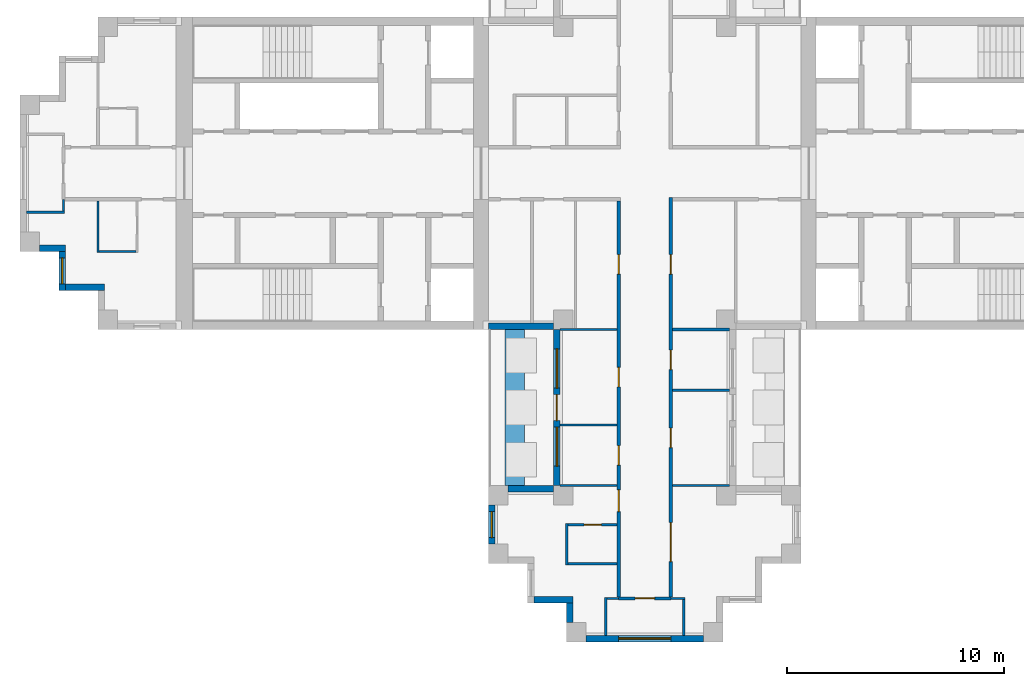
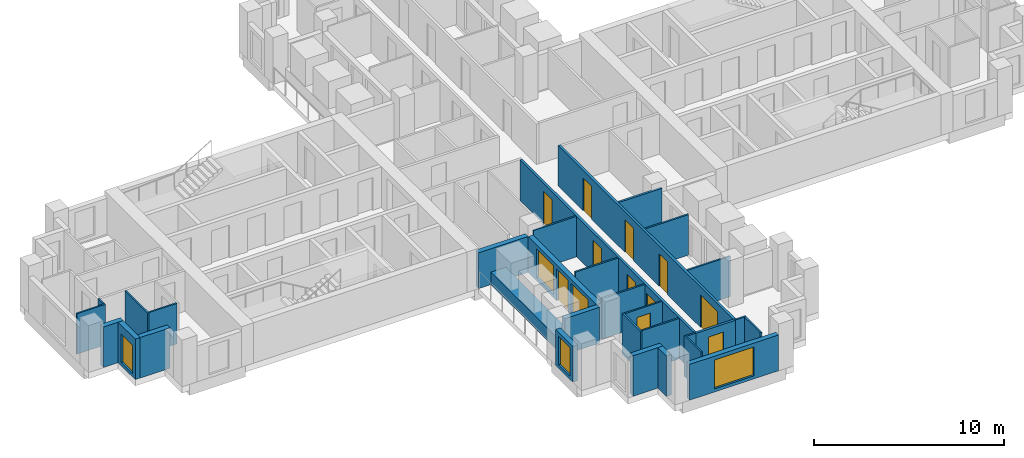
# One storey, part 2 of 10: 31 walls, 11 doors, 5 windows, 16 openings.
"""IFC4 building model written with IfcOpenShell, lengths in metres."""

from ifc_helpers import new_model, si_unit, direction, frame, frame_2d, origin, place, context, subcontext, project, spatial, rectangle, extrude, material, layer, layer_set, type_object, element, fill, save


model = new_model("IFC4")

# Units and contexts
model_context = context("Model", 3, precision=1e-05, world=origin(), true_north=direction((0.0, 1.0)))
body_context = subcontext(model_context, "Body", "Model", "MODEL_VIEW")
ifc_project = project(units=[si_unit("LENGTHUNIT", "METRE"), si_unit("AREAUNIT", "SQUARE_METRE"), si_unit("VOLUMEUNIT", "CUBIC_METRE"), si_unit("PLANEANGLEUNIT", "RADIAN"), si_unit("MASSUNIT", "GRAM", prefix="KILO")], contexts=[model_context])

# Site, building, storey
site_placement = place(None, origin())
site = spatial("IfcSite", under=ifc_project, at=site_placement, CompositionType="ELEMENT")
building_placement = place(site_placement, origin())
building = spatial("IfcBuilding", under=site, at=building_placement, Name="Fustian Cross Tower", CompositionType="ELEMENT")
storey_placement = place(building_placement, frame((0.0, 0.0, 231.89990234375)))
storey = spatial("IfcBuildingStorey", under=building, at=storey_placement, Name="L73", CompositionType="ELEMENT", Elevation=231.89990234375)

# Wall, openings, doors
ifc_material_1 = material(Name="Plasterboard on steel stud", Category="steel")
ifc_layer_1 = layer(ifc_material_1, 0.14990234375)
ifc_layer_set_1 = layer_set([ifc_layer_1], Name="Plasterboard on steel stud")
wall_type_1 = type_object("IfcWallType", Name="COMPARTMENT WALL 150 EI 60", PredefinedType="PARTITIONING", material=ifc_layer_set_1)
wall_1_placement = place(storey_placement, frame((-1.199951171875, -19.52490234375, 0.0), z_axis=(0.0, 0.0, 1.0), x_axis=(0.0, 1.0, 0.0)))
wall_1 = element("IfcWall", 1, at=wall_1_placement, inside=storey, type_object=wall_type_1, Name="Partition 38", PredefinedType="PARTITIONING", context=body_context, shape_type="SweptSolid", body=[
    extrude(rectangle(XDim=18.25, YDim=0.14990234375, at=frame_2d((9.125, 0.0))), origin(), (0.0, 0.0, 1.0), 2.60009765625),
])
opening_1_placement = place(wall_1_placement, frame((14.875, 0.0, 0.0)))
opening_1 = element("IfcOpeningElement", 2, at=opening_1_placement, cuts=wall_1, Name="Opening D33008", PredefinedType="OPENING", context=body_context, shape_type="SweptSolid", body=[
    extrude(rectangle(XDim=0.89990234375, YDim=2.10009765625, at=frame_2d((0.449951171875, 1.050048828125))), frame((0.0, 0.0849609375, 0.0), z_axis=(0.0, -1.0, 0.0), x_axis=(1.0, 0.0, 0.0)), (0.0, 0.0, 1.0), 0.169921875),
])
opening_2_placement = place(wall_1_placement, frame((6.074951171875, 0.0, 0.0)))
opening_2 = element("IfcOpeningElement", 3, at=opening_2_placement, cuts=wall_1, Name="Opening D33036", PredefinedType="OPENING", context=body_context, shape_type="SweptSolid", body=[
    extrude(rectangle(XDim=0.89990234375, YDim=2.10009765625, at=frame_2d((0.449951171875, 1.050048828125))), frame((0.0, 0.0849609375, 0.0), z_axis=(0.0, -1.0, 0.0), x_axis=(1.0, 0.0, 0.0)), (0.0, 0.0, 1.0), 0.169921875),
])
opening_3_placement = place(wall_1_placement, frame((9.675048828125, 0.0, 0.0)))
opening_3 = element("IfcOpeningElement", 4, at=opening_3_placement, cuts=wall_1, Name="Opening D33037", PredefinedType="OPENING", context=body_context, shape_type="SweptSolid", body=[
    extrude(rectangle(XDim=0.89990234375, YDim=2.10009765625, at=frame_2d((0.449951171875, 1.050048828125))), frame((0.0, 0.0849609375, 0.0), z_axis=(0.0, -1.0, 0.0), x_axis=(1.0, 0.0, 0.0)), (0.0, 0.0, 1.0), 0.169921875),
])
opening_4_placement = place(wall_1_placement, frame((3.925048828125, 0.0, 0.0)))
opening_4 = element("IfcOpeningElement", 5, at=opening_4_placement, cuts=wall_1, Name="Opening D33039", PredefinedType="OPENING", context=body_context, shape_type="SweptSolid", body=[
    extrude(rectangle(XDim=1.0, YDim=2.10009765625, at=frame_2d((0.5, 1.050048828125))), frame((0.0, 0.0849609375, 0.0), z_axis=(0.0, -1.0, 0.0), x_axis=(1.0, 0.0, 0.0)), (0.0, 0.0, 1.0), 0.169921875),
])
ifc_material_2 = material(Name="Timber fire door set", Category="wood")
door_type_1 = type_object("IfcDoorType", Name="FIRE SWING DOOR 1000 FD30S", OperationType="SINGLE_SWING_LEFT", PredefinedType="DOOR", material=ifc_material_2)
door_1_placement = place(opening_4_placement, origin())
door_1 = element("IfcDoor", 6, at=door_1_placement, inside=storey, type_object=door_type_1, Name="Door D33039", OperationType="SINGLE_SWING_RIGHT", OverallHeight=2.10009765625, OverallWidth=1.0, PredefinedType="DOOR", context=body_context, shape_type="SweptSolid", body=[
    extrude(rectangle(XDim=1.0, YDim=2.10009765625, at=frame_2d((0.5, 1.050048828125))), frame((0.0, 0.02490234375, 0.0), z_axis=(0.0, -1.0, 0.0), x_axis=(1.0, 0.0, 0.0)), (0.0, 0.0, 1.0), 0.050048828125),
])
fill(opening_4, door_1)
ifc_material_3 = material(Name="Timber fire door set", Category="wood")
door_type_2 = type_object("IfcDoorType", Name="FIRE SWING DOOR 900 FD30S", OperationType="SINGLE_SWING_LEFT", PredefinedType="DOOR", material=ifc_material_3)
door_2_placement = place(opening_1_placement, origin())
door_2 = element("IfcDoor", 7, at=door_2_placement, inside=storey, type_object=door_type_2, Name="Door D33008", OperationType="SINGLE_SWING_LEFT", OverallHeight=2.10009765625, OverallWidth=0.89990234375, PredefinedType="DOOR", context=body_context, shape_type="SweptSolid", body=[
    extrude(rectangle(XDim=0.89990234375, YDim=2.10009765625, at=frame_2d((0.449951171875, 1.050048828125))), frame((0.0, 0.02490234375, 0.0), z_axis=(0.0, -1.0, 0.0), x_axis=(1.0, 0.0, 0.0)), (0.0, 0.0, 1.0), 0.050048828125),
])
fill(opening_1, door_2)
door_3_placement = place(opening_2_placement, origin())
door_3 = element("IfcDoor", 8, at=door_3_placement, inside=storey, type_object=door_type_2, Name="Door D33036", OperationType="SINGLE_SWING_LEFT", OverallHeight=2.10009765625, OverallWidth=0.89990234375, PredefinedType="DOOR", context=body_context, shape_type="SweptSolid", body=[
    extrude(rectangle(XDim=0.89990234375, YDim=2.10009765625, at=frame_2d((0.449951171875, 1.050048828125))), frame((0.0, 0.02490234375, 0.0), z_axis=(0.0, -1.0, 0.0), x_axis=(1.0, 0.0, 0.0)), (0.0, 0.0, 1.0), 0.050048828125),
])
fill(opening_2, door_3)
door_4_placement = place(opening_3_placement, origin())
door_4 = element("IfcDoor", 9, at=door_4_placement, inside=storey, type_object=door_type_2, Name="Door D33037", OperationType="SINGLE_SWING_LEFT", OverallHeight=2.10009765625, OverallWidth=0.89990234375, PredefinedType="DOOR", context=body_context, shape_type="SweptSolid", body=[
    extrude(rectangle(XDim=0.89990234375, YDim=2.10009765625, at=frame_2d((0.449951171875, 1.050048828125))), frame((0.0, 0.02490234375, 0.0), z_axis=(0.0, -1.0, 0.0), x_axis=(1.0, 0.0, 0.0)), (0.0, 0.0, 1.0), 0.050048828125),
])
fill(opening_3, door_4)

# Wall, opening, door
wall_2_placement = place(storey_placement, frame((-1.199951171875, -19.60009765625, 0.0), z_axis=(0.0, 0.0, 1.0), x_axis=(1.0, 0.0, 0.0)))
wall_2 = element("IfcWall", 10, at=wall_2_placement, inside=storey, type_object=wall_type_1, Name="Partition 39", PredefinedType="PARTITIONING", context=body_context, shape_type="SweptSolid", body=[
    extrude(rectangle(XDim=2.39990234375, YDim=0.14990234375, at=frame_2d((1.199951171875, 0.0))), origin(), (0.0, 0.0, 1.0), 2.60009765625),
])
opening_5_placement = place(wall_2_placement, frame((0.75, 0.0, 0.0)))
opening_5 = element("IfcOpeningElement", 11, at=opening_5_placement, cuts=wall_2, Name="Opening D33032", PredefinedType="OPENING", context=body_context, shape_type="SweptSolid", body=[
    extrude(rectangle(XDim=0.89990234375, YDim=2.10009765625, at=frame_2d((0.449951171875, 1.050048828125))), frame((0.0, 0.0849609375, 0.0), z_axis=(0.0, -1.0, 0.0), x_axis=(1.0, 0.0, 0.0)), (0.0, 0.0, 1.0), 0.169921875),
])
door_5_placement = place(opening_5_placement, frame((0.89990234375, 0.0, 0.0), z_axis=(0.0, 0.0, 1.0), x_axis=(-1.0, 0.0, 0.0)))
door_5 = element("IfcDoor", 12, at=door_5_placement, inside=storey, type_object=door_type_2, Name="Door D33032", OperationType="SINGLE_SWING_RIGHT", OverallHeight=2.10009765625, OverallWidth=0.89990234375, PredefinedType="DOOR", context=body_context, shape_type="SweptSolid", body=[
    extrude(rectangle(XDim=0.89990234375, YDim=2.10009765625, at=frame_2d((0.449951171875, 1.050048828125))), frame((0.0, 0.02490234375, 0.0), z_axis=(0.0, -1.0, 0.0), x_axis=(1.0, 0.0, 0.0)), (0.0, 0.0, 1.0), 0.050048828125),
])
fill(opening_5, door_5)

# Wall, openings, doors
wall_3_placement = place(storey_placement, frame((1.199951171875, -19.52490234375, 0.0), z_axis=(0.0, 0.0, 1.0), x_axis=(0.0, 1.0, 0.0)))
wall_3 = element("IfcWall", 13, at=wall_3_placement, inside=storey, type_object=wall_type_1, Name="Partition 42", PredefinedType="PARTITIONING", context=body_context, shape_type="SweptSolid", body=[
    extrude(rectangle(XDim=18.39990234375, YDim=0.14990234375, at=frame_2d((9.199951171875, 0.0))), origin(), (0.0, 0.0, 1.0), 2.60009765625),
])
opening_6_placement = place(wall_3_placement, frame((14.875, 0.0, 0.0)))
opening_6 = element("IfcOpeningElement", 14, at=opening_6_placement, cuts=wall_3, Name="Opening D33006", PredefinedType="OPENING", context=body_context, shape_type="SweptSolid", body=[
    extrude(rectangle(XDim=0.89990234375, YDim=2.10009765625, at=frame_2d((0.449951171875, 1.050048828125))), frame((0.0, 0.0849609375, 0.0), z_axis=(0.0, -1.0, 0.0), x_axis=(1.0, 0.0, 0.0)), (0.0, 0.0, 1.0), 0.169921875),
])
opening_7_placement = place(wall_3_placement, frame((10.47509765625, 0.0, 0.0)))
opening_7 = element("IfcOpeningElement", 15, at=opening_7_placement, cuts=wall_3, Name="Opening D33033", PredefinedType="OPENING", context=body_context, shape_type="SweptSolid", body=[
    extrude(rectangle(XDim=0.89990234375, YDim=2.10009765625, at=frame_2d((0.449951171875, 1.050048828125))), frame((0.0, 0.0849609375, 0.0), z_axis=(0.0, -1.0, 0.0), x_axis=(1.0, 0.0, 0.0)), (0.0, 0.0, 1.0), 0.169921875),
])
opening_8_placement = place(wall_3_placement, frame((6.875, 0.0, 0.0)))
opening_8 = element("IfcOpeningElement", 16, at=opening_8_placement, cuts=wall_3, Name="Opening D33034", PredefinedType="OPENING", context=body_context, shape_type="SweptSolid", body=[
    extrude(rectangle(XDim=0.89990234375, YDim=2.10009765625, at=frame_2d((0.449951171875, 1.050048828125))), frame((0.0, 0.0849609375, 0.0), z_axis=(0.0, -1.0, 0.0), x_axis=(1.0, 0.0, 0.0)), (0.0, 0.0, 1.0), 0.169921875),
])
opening_9_placement = place(wall_3_placement, frame((1.625, 0.0, 0.0)))
opening_9 = element("IfcOpeningElement", 17, at=opening_9_placement, cuts=wall_3, Name="Opening D33035", PredefinedType="OPENING", context=body_context, shape_type="SweptSolid", body=[
    extrude(rectangle(XDim=1.800048828125, YDim=2.10009765625, at=frame_2d((0.89990234375, 1.050048828125))), frame((0.0, 0.0849609375, 0.0), z_axis=(0.0, -1.0, 0.0), x_axis=(1.0, 0.0, 0.0)), (0.0, 0.0, 1.0), 0.169921875),
])
ifc_material_4 = material(Name="Timber fire door set", Category="wood")
door_type_3 = type_object("IfcDoorType", Name="FIRE DOUBLE DOOR 1800 FD30S", OperationType="DOUBLE_DOOR_DOUBLE_SWING", PredefinedType="DOOR", material=ifc_material_4)
door_6_placement = place(opening_9_placement, origin())
door_6 = element("IfcDoor", 18, at=door_6_placement, inside=storey, type_object=door_type_3, Name="Door D33035", OperationType="DOUBLE_DOOR_DOUBLE_SWING", OverallHeight=2.10009765625, OverallWidth=1.800048828125, PredefinedType="DOOR", context=body_context, shape_type="SweptSolid", body=[
    extrude(rectangle(XDim=1.800048828125, YDim=2.10009765625, at=frame_2d((0.89990234375, 1.050048828125))), frame((0.0, 0.02490234375, 0.0), z_axis=(0.0, -1.0, 0.0), x_axis=(1.0, 0.0, 0.0)), (0.0, 0.0, 1.0), 0.050048828125),
])
fill(opening_9, door_6)
door_7_placement = place(opening_6_placement, frame((0.89990234375, 0.0, 0.0), z_axis=(0.0, 0.0, 1.0), x_axis=(-1.0, 0.0, 0.0)))
door_7 = element("IfcDoor", 19, at=door_7_placement, inside=storey, type_object=door_type_2, Name="Door D33006", OperationType="SINGLE_SWING_RIGHT", OverallHeight=2.10009765625, OverallWidth=0.89990234375, PredefinedType="DOOR", context=body_context, shape_type="SweptSolid", body=[
    extrude(rectangle(XDim=0.89990234375, YDim=2.10009765625, at=frame_2d((0.449951171875, 1.050048828125))), frame((0.0, 0.02490234375, 0.0), z_axis=(0.0, -1.0, 0.0), x_axis=(1.0, 0.0, 0.0)), (0.0, 0.0, 1.0), 0.050048828125),
])
fill(opening_6, door_7)
door_8_placement = place(opening_7_placement, frame((0.89990234375, 0.0, 0.0), z_axis=(0.0, 0.0, 1.0), x_axis=(-1.0, 0.0, 0.0)))
door_8 = element("IfcDoor", 20, at=door_8_placement, inside=storey, type_object=door_type_2, Name="Door D33033", OperationType="SINGLE_SWING_RIGHT", OverallHeight=2.10009765625, OverallWidth=0.89990234375, PredefinedType="DOOR", context=body_context, shape_type="SweptSolid", body=[
    extrude(rectangle(XDim=0.89990234375, YDim=2.10009765625, at=frame_2d((0.449951171875, 1.050048828125))), frame((0.0, 0.02490234375, 0.0), z_axis=(0.0, -1.0, 0.0), x_axis=(1.0, 0.0, 0.0)), (0.0, 0.0, 1.0), 0.050048828125),
])
fill(opening_7, door_8)
door_9_placement = place(opening_8_placement, frame((0.89990234375, 0.0, 0.0), z_axis=(0.0, 0.0, 1.0), x_axis=(-1.0, 0.0, 0.0)))
door_9 = element("IfcDoor", 21, at=door_9_placement, inside=storey, type_object=door_type_2, Name="Door D33034", OperationType="SINGLE_SWING_RIGHT", OverallHeight=2.10009765625, OverallWidth=0.89990234375, PredefinedType="DOOR", context=body_context, shape_type="SweptSolid", body=[
    extrude(rectangle(XDim=0.89990234375, YDim=2.10009765625, at=frame_2d((0.449951171875, 1.050048828125))), frame((0.0, 0.02490234375, 0.0), z_axis=(0.0, -1.0, 0.0), x_axis=(1.0, 0.0, 0.0)), (0.0, 0.0, 1.0), 0.050048828125),
])
fill(opening_8, door_9)

# Walls
ifc_material_5 = material(Name="Plasterboard on steel stud", Category="steel")
ifc_layer_2 = layer(ifc_material_5, 0.10009765625)
ifc_layer_set_2 = layer_set([ifc_layer_2], Name="Plasterboard on steel stud")
wall_type_2 = type_object("IfcWallType", Name="PARTITION 100 STUD", PredefinedType="PARTITIONING", material=ifc_layer_set_2)
wall_4_placement = place(storey_placement, frame((-28.5, -1.800048828125, 0.0), z_axis=(0.0, 0.0, 1.0), x_axis=(1.0, 0.0, 0.0)))
element("IfcWall", 22, at=wall_4_placement, inside=storey, type_object=wall_type_2, Name="Partition 1", PredefinedType="PARTITIONING", context=body_context, shape_type="SweptSolid", body=[
    extrude(rectangle(XDim=1.75, YDim=0.10009765625, at=frame_2d((0.875, 0.0))), origin(), (0.0, 0.0, 1.0), 2.60009765625),
])
wall_5_placement = place(storey_placement, frame((-26.800048828125, -1.75, 0.0), z_axis=(0.0, 0.0, 1.0), x_axis=(0.0, 1.0, 0.0)))
element("IfcWall", 23, at=wall_5_placement, inside=storey, type_object=wall_type_2, Name="Partition 3", PredefinedType="PARTITIONING", context=body_context, shape_type="SweptSolid", body=[
    extrude(rectangle(XDim=0.550048828125, YDim=0.10009765625, at=frame_2d((0.27490234375, 0.0))), origin(), (0.0, 0.0, 1.0), 2.60009765625),
])
wall_6_placement = place(storey_placement, frame((-25.199951171875, -3.64990234375, 0.0), z_axis=(0.0, 0.0, 1.0), x_axis=(0.0, 1.0, 0.0)))
element("IfcWall", 24, at=wall_6_placement, inside=storey, type_object=wall_type_2, Name="Partition 8", PredefinedType="PARTITIONING", context=body_context, shape_type="SweptSolid", body=[
    extrude(rectangle(XDim=2.375, YDim=0.10009765625, at=frame_2d((1.1875, 0.0))), origin(), (0.0, 0.0, 1.0), 2.60009765625),
])
wall_7_placement = place(storey_placement, frame((-25.14990234375, -3.60009765625, 0.0), z_axis=(0.0, 0.0, 1.0), x_axis=(1.0, 0.0, 0.0)))
element("IfcWall", 25, at=wall_7_placement, inside=storey, type_object=wall_type_2, Name="Partition 9", PredefinedType="PARTITIONING", context=body_context, shape_type="SweptSolid", body=[
    extrude(rectangle(XDim=1.699951171875, YDim=0.10009765625, at=frame_2d((0.85009765625, 0.0))), origin(), (0.0, 0.0, 1.0), 2.60009765625),
])
for number, where, z_axis, x_axis, name in (
    (26, (-3.89990234375, -14.39990234375, 0.0), (0.0, 0.0, 1.0), (1.0, 0.0, 0.0), "Partition 20"),
    (27, (-3.89990234375, -11.60009765625, 0.0), (0.0, 0.0, 1.0), (1.0, 0.0, 0.0), "Partition 21"),
    (28, (-3.89990234375, -7.199951171875, 0.0), (0.0, 0.0, 1.0), (1.0, 0.0, 0.0), "Partition 22"),
):
    element("IfcWall", number, at=place(storey_placement, frame(where, z_axis=z_axis, x_axis=x_axis)), inside=storey, type_object=wall_type_2, Name=name, PredefinedType="PARTITIONING", context=body_context, shape_type="SweptSolid", body=[
        extrude(rectangle(XDim=2.625, YDim=0.10009765625, at=frame_2d((1.3125, 0.0))), origin(), (0.0, 0.0, 1.0), 2.60009765625),
    ])
wall_8_placement = place(storey_placement, frame((-3.60009765625, -18.050048828125, 0.0), z_axis=(0.0, 0.0, 1.0), x_axis=(0.0, 1.0, 0.0)))
element("IfcWall", 29, at=wall_8_placement, inside=storey, type_object=wall_type_2, Name="Partition 26", PredefinedType="PARTITIONING", context=body_context, shape_type="SweptSolid", body=[
    extrude(rectangle(XDim=1.900146484375, YDim=0.10009765625, at=frame_2d((0.9501953125, 0.0))), origin(), (0.0, 0.0, 1.0), 2.60009765625),
])
wall_9_placement = place(storey_placement, frame((-3.550048828125, -18.0, 0.0), z_axis=(0.0, 0.0, 1.0), x_axis=(1.0, 0.0, 0.0)))
element("IfcWall", 30, at=wall_9_placement, inside=storey, type_object=wall_type_2, Name="Partition 27", PredefinedType="PARTITIONING", context=body_context, shape_type="SweptSolid", body=[
    extrude(rectangle(XDim=2.275146484375, YDim=0.10009765625, at=frame_2d((1.1376953125, 0.0))), origin(), (0.0, 0.0, 1.0), 2.60009765625),
])

# Wall, opening, door
wall_10_placement = place(storey_placement, frame((-3.550048828125, -16.199951171875, 0.0), z_axis=(0.0, 0.0, 1.0), x_axis=(1.0, 0.0, 0.0)))
wall_10 = element("IfcWall", 31, at=wall_10_placement, inside=storey, type_object=wall_type_2, Name="Partition 28", PredefinedType="PARTITIONING", context=body_context, shape_type="SweptSolid", body=[
    extrude(rectangle(XDim=2.275146484375, YDim=0.10009765625, at=frame_2d((1.1376953125, 0.0))), origin(), (0.0, 0.0, 1.0), 2.60009765625),
])
opening_10_placement = place(wall_10_placement, frame((0.75, 0.0, 0.0)))
opening_10 = element("IfcOpeningElement", 32, at=opening_10_placement, cuts=wall_10, Name="Opening D33038", PredefinedType="OPENING", context=body_context, shape_type="SweptSolid", body=[
    extrude(rectangle(XDim=0.800048828125, YDim=2.10009765625, at=frame_2d((0.39990234375, 1.050048828125))), frame((0.0, 0.06005859375, 0.0), z_axis=(0.0, -1.0, 0.0), x_axis=(1.0, 0.0, 0.0)), (0.0, 0.0, 1.0), 0.1201171875),
])
ifc_material_6 = material(Name="Painted timber", Category="wood")
door_type_4 = type_object("IfcDoorType", Name="SWING DOOR 800", OperationType="SINGLE_SWING_LEFT", PredefinedType="DOOR", material=ifc_material_6)
door_10_placement = place(opening_10_placement, frame((0.800048828125, 0.0, 0.0), z_axis=(0.0, 0.0, 1.0), x_axis=(-1.0, 0.0, 0.0)))
door_10 = element("IfcDoor", 33, at=door_10_placement, inside=storey, type_object=door_type_4, Name="Door D33038", OperationType="SINGLE_SWING_RIGHT", OverallHeight=2.10009765625, OverallWidth=0.800048828125, PredefinedType="DOOR", context=body_context, shape_type="SweptSolid", body=[
    extrude(rectangle(XDim=0.800048828125, YDim=2.10009765625, at=frame_2d((0.39990234375, 1.050048828125))), frame((0.0, 0.02490234375, 0.0), z_axis=(0.0, -1.0, 0.0), x_axis=(1.0, 0.0, 0.0)), (0.0, 0.0, 1.0), 0.050048828125),
])
fill(opening_10, door_10)

# Walls
wall_11_placement = place(storey_placement, frame((-1.800048828125, -21.300048828125, 0.0), z_axis=(0.0, 0.0, 1.0), x_axis=(0.0, 1.0, 0.0)))
element("IfcWall", 34, at=wall_11_placement, inside=storey, type_object=wall_type_2, Name="Partition 34", PredefinedType="PARTITIONING", context=body_context, shape_type="SweptSolid", body=[
    extrude(rectangle(XDim=1.75, YDim=0.10009765625, at=frame_2d((0.875, 0.0))), origin(), (0.0, 0.0, 1.0), 2.60009765625),
])
wall_12_placement = place(storey_placement, frame((-1.75, -19.60009765625, 0.0), z_axis=(0.0, 0.0, 1.0), x_axis=(1.0, 0.0, 0.0)))
element("IfcWall", 35, at=wall_12_placement, inside=storey, type_object=wall_type_2, Name="Partition 35", PredefinedType="PARTITIONING", context=body_context, shape_type="SweptSolid", body=[
    extrude(rectangle(XDim=0.550048828125, YDim=0.10009765625, at=frame_2d((0.27490234375, 0.0))), origin(), (0.0, 0.0, 1.0), 2.60009765625),
])
wall_13_placement = place(storey_placement, frame((1.199951171875, -19.60009765625, 0.0), z_axis=(0.0, 0.0, 1.0), x_axis=(1.0, 0.0, 0.0)))
element("IfcWall", 36, at=wall_13_placement, inside=storey, type_object=wall_type_2, Name="Partition 43", PredefinedType="PARTITIONING", context=body_context, shape_type="SweptSolid", body=[
    extrude(rectangle(XDim=0.650146484375, YDim=0.10009765625, at=frame_2d((0.3251953125, 0.0))), origin(), (0.0, 0.0, 1.0), 2.60009765625),
])
for number, where, z_axis, x_axis, name in (
    (37, (1.27490234375, -14.39990234375, 0.0), (0.0, 0.0, 1.0), (1.0, 0.0, 0.0), "Partition 44"),
    (38, (1.27490234375, -10.0, 0.0), (0.0, 0.0, 1.0), (1.0, 0.0, 0.0), "Partition 45"),
):
    element("IfcWall", number, at=place(storey_placement, frame(where, z_axis=z_axis, x_axis=x_axis)), inside=storey, type_object=wall_type_2, Name=name, PredefinedType="PARTITIONING", context=body_context, shape_type="SweptSolid", body=[
        extrude(rectangle(XDim=2.625, YDim=0.10009765625, at=frame_2d((1.3125, 0.0))), origin(), (0.0, 0.0, 1.0), 2.60009765625),
    ])
wall_14_placement = place(storey_placement, frame((1.800048828125, -21.300048828125, 0.0), z_axis=(0.0, 0.0, 1.0), x_axis=(0.0, 1.0, 0.0)))
element("IfcWall", 39, at=wall_14_placement, inside=storey, type_object=wall_type_2, Name="Partition 56", PredefinedType="PARTITIONING", context=body_context, shape_type="SweptSolid", body=[
    extrude(rectangle(XDim=1.650146484375, YDim=0.10009765625, at=frame_2d((0.8251953125, 0.0))), origin(), (0.0, 0.0, 1.0), 2.60009765625),
])
ifc_material_7 = material(Name="Concrete C40/50", Category="concrete")
ifc_layer_3 = layer(ifc_material_7, 0.89990234375)
ifc_layer_set_3 = layer_set([ifc_layer_3], Name="Concrete C40/50")
wall_type_3 = type_object("IfcWallType", Name="PK1 PLANTER 900", PredefinedType="PARAPET", material=ifc_layer_set_3)
wall_15_placement = place(storey_placement, frame((-6.0, -14.39990234375, 0.0), z_axis=(0.0, 0.0, 1.0), x_axis=(0.0, 1.0, 0.0)))
element("IfcWall", 40, at=wall_15_placement, inside=storey, type_object=wall_type_3, Name="PLANTER", PredefinedType="PARAPET", context=body_context, shape_type="SweptSolid", body=[
    extrude(rectangle(XDim=7.199951171875, YDim=0.89990234375, at=frame_2d((3.60009765625, 0.0))), origin(), (0.0, 0.0, 1.0), 0.800048828125),
])
ifc_material_8 = material(Name="Plasterboard on steel stud", Category="steel")
ifc_layer_4 = layer(ifc_material_8, 0.125)
ifc_layer_set_4 = layer_set([ifc_layer_4], Name="Plasterboard on steel stud")
wall_type_4 = type_object("IfcWallType", Name="WET WALL 125 STUD", PredefinedType="PARTITIONING", material=ifc_layer_set_4)
wall_16_placement = place(storey_placement, frame((1.27490234375, -7.199951171875, 0.0), z_axis=(0.0, 0.0, 1.0), x_axis=(1.0, 0.0, 0.0)))
element("IfcWall", 41, at=wall_16_placement, inside=storey, type_object=wall_type_4, Name="Partition 46", PredefinedType="PARTITIONING", context=body_context, shape_type="SweptSolid", body=[
    extrude(rectangle(XDim=2.625, YDim=0.125, at=frame_2d((1.3125, 0.0))), origin(), (0.0, 0.0, 1.0), 2.60009765625),
])
ifc_material_9 = material(Name="Dark aluminium cladding on insulated backing wall", Category="aluminium")
ifc_layer_5 = layer(ifc_material_9, 0.300048828125)
ifc_layer_set_5 = layer_set([ifc_layer_5], Name="Dark aluminium cladding on insulated backing wall")
wall_type_5 = type_object("IfcWallType", Name="XW1 EXTERNAL WALL 300", PredefinedType="SOLIDWALL", material=ifc_layer_set_5)
wall_17_placement = place(storey_placement, frame((-27.89990234375, -3.449951171875, 0.0), z_axis=(0.0, 0.0, 1.0), x_axis=(1.0, 0.0, 0.0)))
element("IfcWall", 42, at=wall_17_placement, inside=storey, type_object=wall_type_5, Name="External wall", PredefinedType="SOLIDWALL", context=body_context, shape_type="SweptSolid", body=[
    extrude(rectangle(XDim=1.199951171875, YDim=0.300048828125, at=frame_2d((0.60009765625, 0.0))), origin(), (0.0, 0.0, 1.0), 2.60009765625),
])

# Wall, opening, window
wall_18_placement = place(storey_placement, frame((-26.85009765625, -3.60009765625, 0.0), z_axis=(0.0, 0.0, 1.0), x_axis=(0.0, -1.0, 0.0)))
wall_18 = element("IfcWall", 43, at=wall_18_placement, inside=storey, type_object=wall_type_5, Name="External wall", PredefinedType="SOLIDWALL", context=body_context, shape_type="SweptSolid", body=[
    extrude(rectangle(XDim=1.7998046875, YDim=0.300048828125, at=frame_2d((0.89990234375, 0.0))), origin(), (0.0, 0.0, 1.0), 2.60009765625),
])
opening_11_placement = place(wall_18_placement, frame((0.300048828125, 0.0, 0.199951171875)))
opening_11 = element("IfcOpeningElement", 44, at=opening_11_placement, cuts=wall_18, Name="Opening WN3", PredefinedType="OPENING", context=body_context, shape_type="SweptSolid", body=[
    extrude(rectangle(XDim=1.199951171875, YDim=1.85009765625, at=frame_2d((0.60009765625, 0.925048828125))), frame((0.0, 0.159912109375, 0.0), z_axis=(0.0, -1.0, 0.0), x_axis=(1.0, 0.0, 0.0)), (0.0, 0.0, 1.0), 0.320068359375),
])
ifc_material_10 = material(Name="Dark anodised aluminium and double glazing", Category="aluminium")
window_type_1 = type_object("IfcWindowType", Name="WN3 WINDOW 1200X1850", PartitioningType="SINGLE_PANEL", PredefinedType="WINDOW", material=ifc_material_10)
window_1_placement = place(opening_11_placement, origin())
window_1 = element("IfcWindow", 45, at=window_1_placement, inside=storey, type_object=window_type_1, Name="Window", OverallHeight=1.85009765625, OverallWidth=1.199951171875, PartitioningType="SINGLE_PANEL", PredefinedType="WINDOW", context=body_context, shape_type="SweptSolid", body=[
    extrude(rectangle(XDim=1.199951171875, YDim=1.85009765625, at=frame_2d((0.60009765625, 0.925048828125))), frame((0.0, 0.030029296875, 0.0), z_axis=(0.0, -1.0, 0.0), x_axis=(1.0, 0.0, 0.0)), (0.0, 0.0, 1.0), 0.06005859375),
])
fill(opening_11, window_1)

# Walls
wall_19_placement = place(storey_placement, frame((-26.699951171875, -5.25, 0.0), z_axis=(0.0, 0.0, 1.0), x_axis=(1.0, 0.0, 0.0)))
element("IfcWall", 46, at=wall_19_placement, inside=storey, type_object=wall_type_5, Name="External wall", PredefinedType="SOLIDWALL", context=body_context, shape_type="SweptSolid", body=[
    extrude(rectangle(XDim=1.800048828125, YDim=0.300048828125, at=frame_2d((0.89990234375, 0.0))), origin(), (0.0, 0.0, 1.0), 2.60009765625),
])
wall_20_placement = place(storey_placement, frame((-7.199951171875, -7.050048828125, 0.0), z_axis=(0.0, 0.0, 1.0), x_axis=(1.0, 0.0, 0.0)))
element("IfcWall", 47, at=wall_20_placement, inside=storey, type_object=wall_type_5, Name="External wall", PredefinedType="SOLIDWALL", context=body_context, shape_type="SweptSolid", body=[
    extrude(rectangle(XDim=3.0, YDim=0.300048828125, at=frame_2d((1.5, 0.0))), origin(), (0.0, 0.0, 1.0), 2.300048828125),
])

# Wall, openings, door, windows
wall_21_placement = place(storey_placement, frame((-4.050048828125, -7.199951171875, 0.0), z_axis=(0.0, 0.0, 1.0), x_axis=(0.0, -1.0, 0.0)))
wall_21 = element("IfcWall", 48, at=wall_21_placement, inside=storey, type_object=wall_type_5, Name="External wall", PredefinedType="SOLIDWALL", context=body_context, shape_type="SweptSolid", body=[
    extrude(rectangle(XDim=7.199951171875, YDim=0.300048828125, at=frame_2d((3.60009765625, 0.0))), origin(), (0.0, 0.0, 1.0), 2.300048828125),
])
opening_12_placement = place(wall_21_placement, frame((3.0, 0.0, 0.0)))
opening_12 = element("IfcOpeningElement", 49, at=opening_12_placement, cuts=wall_21, Name="Opening XD4", PredefinedType="OPENING", context=body_context, shape_type="SweptSolid", body=[
    extrude(rectangle(XDim=1.199951171875, YDim=2.050048828125, at=frame_2d((0.60009765625, 1.02490234375))), frame((0.0, 0.159912109375, 0.0), z_axis=(0.0, -1.0, 0.0), x_axis=(1.0, 0.0, 0.0)), (0.0, 0.0, 1.0), 0.320068359375),
])
opening_13_placement = place(wall_21_placement, frame((0.89990234375, 0.0, 0.199951171875)))
opening_13 = element("IfcOpeningElement", 50, at=opening_13_placement, cuts=wall_21, Name="Opening WN2", PredefinedType="OPENING", context=body_context, shape_type="SweptSolid", body=[
    extrude(rectangle(XDim=1.800048828125, YDim=1.85009765625, at=frame_2d((0.89990234375, 0.925048828125))), frame((0.0, 0.159912109375, 0.0), z_axis=(0.0, -1.0, 0.0), x_axis=(1.0, 0.0, 0.0)), (0.0, 0.0, 1.0), 0.320068359375),
])
opening_14_placement = place(wall_21_placement, frame((4.5, 0.0, 0.199951171875)))
opening_14 = element("IfcOpeningElement", 51, at=opening_14_placement, cuts=wall_21, Name="Opening WN2", PredefinedType="OPENING", context=body_context, shape_type="SweptSolid", body=[
    extrude(rectangle(XDim=1.800048828125, YDim=1.85009765625, at=frame_2d((0.89990234375, 0.925048828125))), frame((0.0, 0.159912109375, 0.0), z_axis=(0.0, -1.0, 0.0), x_axis=(1.0, 0.0, 0.0)), (0.0, 0.0, 1.0), 0.320068359375),
])
ifc_material_11 = material(Name="Dark anodised aluminium and double glazing", Category="aluminium")
door_type_5 = type_object("IfcDoorType", Name="ED1 BALCONY DOOR 1200X2050", OperationType="SINGLE_SWING_LEFT", PredefinedType="DOOR", material=ifc_material_11)
door_11_placement = place(opening_12_placement, origin())
door_11 = element("IfcDoor", 52, at=door_11_placement, inside=storey, type_object=door_type_5, Name="Balcony door", OperationType="SINGLE_SWING_LEFT", OverallHeight=2.050048828125, OverallWidth=1.199951171875, PredefinedType="DOOR", context=body_context, shape_type="SweptSolid", body=[
    extrude(rectangle(XDim=1.199951171875, YDim=2.050048828125, at=frame_2d((0.60009765625, 1.02490234375))), frame((0.0, 0.02490234375, 0.0), z_axis=(0.0, -1.0, 0.0), x_axis=(1.0, 0.0, 0.0)), (0.0, 0.0, 1.0), 0.050048828125),
])
fill(opening_12, door_11)
ifc_material_12 = material(Name="Dark anodised aluminium and double glazing", Category="aluminium")
window_type_2 = type_object("IfcWindowType", Name="WN2 WINDOW 1800X1850", PartitioningType="SINGLE_PANEL", PredefinedType="WINDOW", material=ifc_material_12)
window_2_placement = place(opening_13_placement, origin())
window_2 = element("IfcWindow", 53, at=window_2_placement, inside=storey, type_object=window_type_2, Name="Window", OverallHeight=1.85009765625, OverallWidth=1.800048828125, PartitioningType="SINGLE_PANEL", PredefinedType="WINDOW", context=body_context, shape_type="SweptSolid", body=[
    extrude(rectangle(XDim=1.800048828125, YDim=1.85009765625, at=frame_2d((0.89990234375, 0.925048828125))), frame((0.0, 0.030029296875, 0.0), z_axis=(0.0, -1.0, 0.0), x_axis=(1.0, 0.0, 0.0)), (0.0, 0.0, 1.0), 0.06005859375),
])
fill(opening_13, window_2)
window_3_placement = place(opening_14_placement, origin())
window_3 = element("IfcWindow", 54, at=window_3_placement, inside=storey, type_object=window_type_2, Name="Window", OverallHeight=1.85009765625, OverallWidth=1.800048828125, PartitioningType="SINGLE_PANEL", PredefinedType="WINDOW", context=body_context, shape_type="SweptSolid", body=[
    extrude(rectangle(XDim=1.800048828125, YDim=1.85009765625, at=frame_2d((0.89990234375, 0.925048828125))), frame((0.0, 0.030029296875, 0.0), z_axis=(0.0, -1.0, 0.0), x_axis=(1.0, 0.0, 0.0)), (0.0, 0.0, 1.0), 0.06005859375),
])
fill(opening_14, window_3)

# Wall
wall_22_placement = place(storey_placement, frame((-4.199951171875, -14.550048828125, 0.0), z_axis=(0.0, 0.0, 1.0), x_axis=(-1.0, 0.0, 0.0)))
element("IfcWall", 55, at=wall_22_placement, inside=storey, type_object=wall_type_5, Name="External wall", PredefinedType="SOLIDWALL", context=body_context, shape_type="SweptSolid", body=[
    extrude(rectangle(XDim=2.10009765625, YDim=0.300048828125, at=frame_2d((1.050048828125, 0.0))), origin(), (0.0, 0.0, 1.0), 2.300048828125),
])

# Wall, opening, window
wall_23_placement = place(storey_placement, frame((-7.050048828125, -15.300048828125, 0.0), z_axis=(0.0, 0.0, 1.0), x_axis=(0.0, -1.0, 0.0)))
wall_23 = element("IfcWall", 56, at=wall_23_placement, inside=storey, type_object=wall_type_5, Name="External wall", PredefinedType="SOLIDWALL", context=body_context, shape_type="SweptSolid", body=[
    extrude(rectangle(XDim=1.800048828125, YDim=0.300048828125, at=frame_2d((0.89990234375, 0.0))), origin(), (0.0, 0.0, 1.0), 2.300048828125),
])
opening_15_placement = place(wall_23_placement, frame((0.300048828125, 0.0, 0.199951171875)))
opening_15 = element("IfcOpeningElement", 57, at=opening_15_placement, cuts=wall_23, Name="Opening WN3", PredefinedType="OPENING", context=body_context, shape_type="SweptSolid", body=[
    extrude(rectangle(XDim=1.199951171875, YDim=1.85009765625, at=frame_2d((0.60009765625, 0.925048828125))), frame((0.0, 0.159912109375, 0.0), z_axis=(0.0, -1.0, 0.0), x_axis=(1.0, 0.0, 0.0)), (0.0, 0.0, 1.0), 0.320068359375),
])
window_4_placement = place(opening_15_placement, origin())
window_4 = element("IfcWindow", 58, at=window_4_placement, inside=storey, type_object=window_type_1, Name="Window", OverallHeight=1.85009765625, OverallWidth=1.199951171875, PartitioningType="SINGLE_PANEL", PredefinedType="WINDOW", context=body_context, shape_type="SweptSolid", body=[
    extrude(rectangle(XDim=1.199951171875, YDim=1.85009765625, at=frame_2d((0.60009765625, 0.925048828125))), frame((0.0, 0.030029296875, 0.0), z_axis=(0.0, -1.0, 0.0), x_axis=(1.0, 0.0, 0.0)), (0.0, 0.0, 1.0), 0.06005859375),
])
fill(opening_15, window_4)

# Walls
wall_24_placement = place(storey_placement, frame((-5.10009765625, -19.64990234375, 0.0), z_axis=(0.0, 0.0, 1.0), x_axis=(1.0, 0.0, 0.0)))
element("IfcWall", 59, at=wall_24_placement, inside=storey, type_object=wall_type_5, Name="External wall", PredefinedType="SOLIDWALL", context=body_context, shape_type="SweptSolid", body=[
    extrude(rectangle(XDim=1.800048828125, YDim=0.300048828125, at=frame_2d((0.89990234375, 0.0))), origin(), (0.0, 0.0, 1.0), 2.60009765625),
])
wall_25_placement = place(storey_placement, frame((-3.449951171875, -19.800048828125, 0.0), z_axis=(0.0, 0.0, 1.0), x_axis=(0.0, -1.0, 0.0)))
element("IfcWall", 60, at=wall_25_placement, inside=storey, type_object=wall_type_5, Name="External wall", PredefinedType="SOLIDWALL", context=body_context, shape_type="SweptSolid", body=[
    extrude(rectangle(XDim=0.89990234375, YDim=0.300048828125, at=frame_2d((0.449951171875, 0.0))), origin(), (0.0, 0.0, 1.0), 2.60009765625),
])

# Wall, opening, window
wall_26_placement = place(storey_placement, frame((-2.699951171875, -21.449951171875, 0.0), z_axis=(0.0, 0.0, 1.0), x_axis=(1.0, 0.0, 0.0)))
wall_26 = element("IfcWall", 61, at=wall_26_placement, inside=storey, type_object=wall_type_5, Name="External wall", PredefinedType="SOLIDWALL", context=body_context, shape_type="SweptSolid", body=[
    extrude(rectangle(XDim=5.39990234375, YDim=0.300048828125, at=frame_2d((2.699951171875, 0.0))), origin(), (0.0, 0.0, 1.0), 2.300048828125),
])
opening_16_placement = place(wall_26_placement, frame((1.5, 0.0, 0.199951171875)))
opening_16 = element("IfcOpeningElement", 62, at=opening_16_placement, cuts=wall_26, Name="Opening WN1", PredefinedType="OPENING", context=body_context, shape_type="SweptSolid", body=[
    extrude(rectangle(XDim=2.39990234375, YDim=1.85009765625, at=frame_2d((1.199951171875, 0.925048828125))), frame((0.0, 0.159912109375, 0.0), z_axis=(0.0, -1.0, 0.0), x_axis=(1.0, 0.0, 0.0)), (0.0, 0.0, 1.0), 0.320068359375),
])
ifc_material_13 = material(Name="Dark anodised aluminium and double glazing", Category="aluminium")
window_type_3 = type_object("IfcWindowType", Name="WN1 WINDOW 2400X1850", PartitioningType="SINGLE_PANEL", PredefinedType="WINDOW", material=ifc_material_13)
window_5_placement = place(opening_16_placement, origin())
window_5 = element("IfcWindow", 63, at=window_5_placement, inside=storey, type_object=window_type_3, Name="Window", OverallHeight=1.85009765625, OverallWidth=2.39990234375, PartitioningType="SINGLE_PANEL", PredefinedType="WINDOW", context=body_context, shape_type="SweptSolid", body=[
    extrude(rectangle(XDim=2.39990234375, YDim=1.85009765625, at=frame_2d((1.199951171875, 0.925048828125))), frame((0.0, 0.030029296875, 0.0), z_axis=(0.0, -1.0, 0.0), x_axis=(1.0, 0.0, 0.0)), (0.0, 0.0, 1.0), 0.06005859375),
])
fill(opening_16, window_5)

save(model, "model.ifc")
